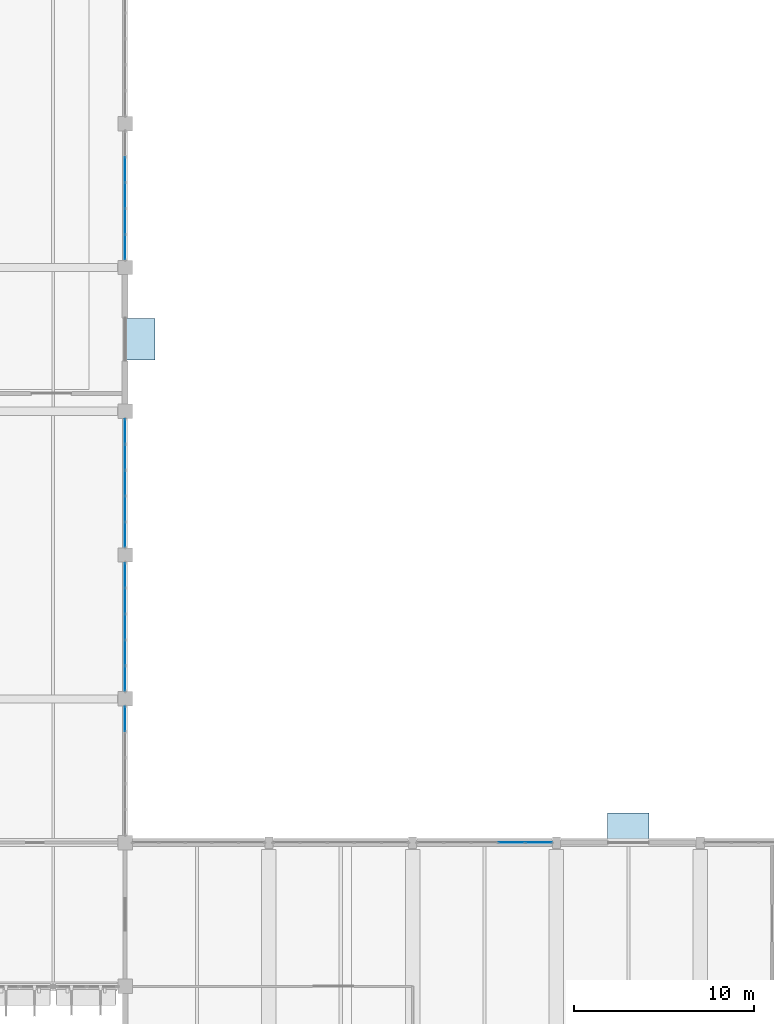
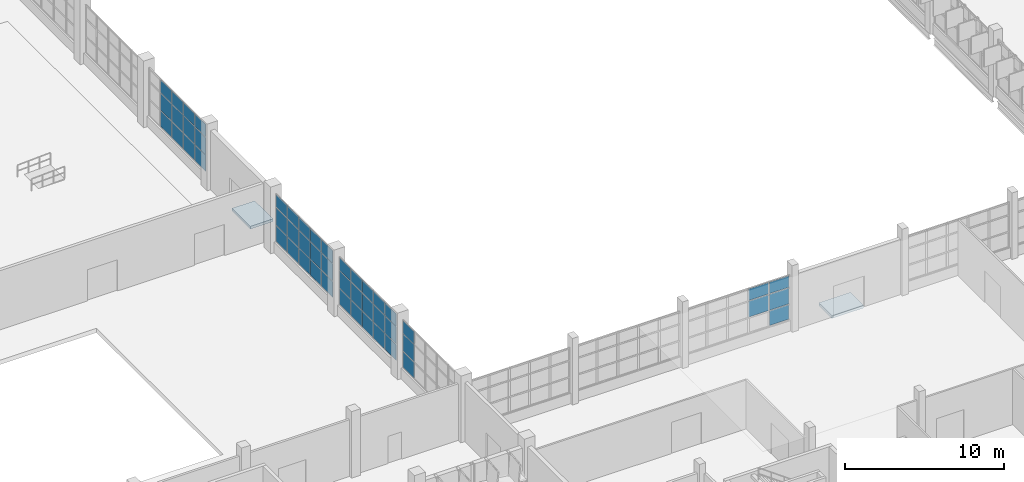
# One storey, part 56 of 103: 50 plates, 2 slabs, 5 elements without a shape of their own.
"""IFC4 building model written with IfcOpenShell, lengths in metres."""

from ifc_helpers import new_model, si_unit, direction, frame, origin, origin_2d, place, context, subcontext, project, spatial, polyline, rectangle, outline, extrude, material, layer, layer_set, type_object, element, aggregate, save


model = new_model("IFC4")

# Units and contexts
model_context = context("Model", 3, precision=1e-05, world=origin(), true_north=direction((0.0, 1.0)))
body_context = subcontext(model_context, "Body", "Model", "MODEL_VIEW")
ifc_project = project(units=[si_unit("LENGTHUNIT", "METRE"), si_unit("AREAUNIT", "SQUARE_METRE"), si_unit("VOLUMEUNIT", "CUBIC_METRE"), si_unit("PLANEANGLEUNIT", "RADIAN"), si_unit("MASSUNIT", "GRAM", prefix="KILO")], contexts=[model_context])

# Site, building, storey
site_placement = place(None, origin())
site = spatial("IfcSite", under=ifc_project, at=site_placement, CompositionType="ELEMENT")
building_placement = place(site_placement, origin())
building = spatial("IfcBuilding", under=site, at=building_placement, Name="Drelvana Railside Aquatics Centre", CompositionType="ELEMENT")
storey_placement = place(building_placement, origin())
storey = spatial("IfcBuildingStorey", under=building, at=storey_placement, Name="L00", CompositionType="ELEMENT", Elevation=0.0)

# Curtain wall, plates
ifc_material_1 = material(Name="Bronze-anodised aluminium curtain wall", Category="aluminium")
ifc_layer_1 = layer(ifc_material_1, 0.1650390625, Name="Bronze-anodised aluminium curtain wall")
ifc_layer_set_1 = layer_set([ifc_layer_1], Name="Bronze-anodised aluminium curtain wall")
curtain_wall_type = type_object("IfcCurtainWallType", Name="CW-Z5-COURT", PredefinedType="NOTDEFINED", material=ifc_layer_set_1)
curtain_wall_1_placement = place(storey_placement, origin())
curtain_wall_1 = element("IfcCurtainWall", 1, at=curtain_wall_1_placement, inside=storey, type_object=curtain_wall_type, Name="Curtain wall CW-05-055", PredefinedType="NOTDEFINED")
ifc_material_2 = material(Name="Double-glazed low-e solar-control glass", Category="glass")
ifc_layer_2 = layer(ifc_material_2, 0.02587890625, Name="Double-glazed low-e solar-control glass")
ifc_layer_set_2 = layer_set([ifc_layer_2], Name="Double-glazed low-e solar-control glass")
plate_type = type_object("IfcPlateType", Name="CW-Z5-COURT-PAN", PredefinedType="CURTAIN_PANEL", material=ifc_layer_set_2)
plate_1_placement = place(storey_placement, frame((96.0, 30.869873046875, 0.84912109375), z_axis=(0.0, 0.0, 1.0), x_axis=(0.0, 1.0, 0.0)))
plate_1 = element("IfcPlate", 2, at=plate_1_placement, type_object=plate_type, Name="CW-05 panel 5.1", PredefinedType="CURTAIN_PANEL", context=body_context, shape_type="SweptSolid", body=[
    extrude(rectangle(XDim=1.3623046875, YDim=0.02587890625, at=origin_2d()), origin(), (0.0, 0.0, 1.0), 1.217041015625),
])
plate_2_placement = place(storey_placement, frame((96.0, 30.869873046875, 2.1162109375), z_axis=(0.0, 0.0, 1.0), x_axis=(0.0, 1.0, 0.0)))
plate_2 = element("IfcPlate", 3, at=plate_2_placement, type_object=plate_type, Name="CW-05 panel 5.2", PredefinedType="CURTAIN_PANEL", context=body_context, shape_type="SweptSolid", body=[
    extrude(rectangle(XDim=1.3623046875, YDim=0.02587890625, at=origin_2d()), origin(), (0.0, 0.0, 1.0), 1.321044921875),
])
plate_3_placement = place(storey_placement, frame((96.0, 30.869873046875, 3.487060546875), z_axis=(0.0, 0.0, 1.0), x_axis=(0.0, 1.0, 0.0)))
plate_3 = element("IfcPlate", 4, at=plate_3_placement, type_object=plate_type, Name="CW-05 panel 5.3", PredefinedType="CURTAIN_PANEL", context=body_context, shape_type="SweptSolid", body=[
    extrude(rectangle(XDim=1.3623046875, YDim=0.02587890625, at=origin_2d()), origin(), (0.0, 0.0, 1.0), 0.9580078125),
])
aggregate(curtain_wall_1, [plate_1, plate_2, plate_3])

curtain_wall_2_placement = place(storey_placement, origin())
curtain_wall_2 = element("IfcCurtainWall", 5, at=curtain_wall_2_placement, inside=storey, type_object=curtain_wall_type, Name="Curtain wall CW-05-059", PredefinedType="NOTDEFINED")
plate_4_placement = place(storey_placement, frame((96.0, 33.130126953125, 0.84912109375), z_axis=(0.0, 0.0, 1.0), x_axis=(0.0, 1.0, 0.0)))
plate_4 = element("IfcPlate", 6, at=plate_4_placement, type_object=plate_type, Name="CW-05 panel 1.1", PredefinedType="CURTAIN_PANEL", context=body_context, shape_type="SweptSolid", body=[
    extrude(rectangle(XDim=1.3623046875, YDim=0.02587890625, at=origin_2d()), origin(), (0.0, 0.0, 1.0), 1.217041015625),
])
plate_5_placement = place(storey_placement, frame((96.0, 33.130126953125, 2.1162109375), z_axis=(0.0, 0.0, 1.0), x_axis=(0.0, 1.0, 0.0)))
plate_5 = element("IfcPlate", 7, at=plate_5_placement, type_object=plate_type, Name="CW-05 panel 1.2", PredefinedType="CURTAIN_PANEL", context=body_context, shape_type="SweptSolid", body=[
    extrude(rectangle(XDim=1.3623046875, YDim=0.02587890625, at=origin_2d()), origin(), (0.0, 0.0, 1.0), 1.321044921875),
])
plate_6_placement = place(storey_placement, frame((96.0, 33.130126953125, 3.487060546875), z_axis=(0.0, 0.0, 1.0), x_axis=(0.0, 1.0, 0.0)))
plate_6 = element("IfcPlate", 8, at=plate_6_placement, type_object=plate_type, Name="CW-05 panel 1.3", PredefinedType="CURTAIN_PANEL", context=body_context, shape_type="SweptSolid", body=[
    extrude(rectangle(XDim=1.3623046875, YDim=0.02587890625, at=origin_2d()), origin(), (0.0, 0.0, 1.0), 0.9580078125),
])
plate_7_placement = place(storey_placement, frame((96.0, 34.5576171875, 0.84912109375), z_axis=(0.0, 0.0, 1.0), x_axis=(0.0, 1.0, 0.0)))
plate_7 = element("IfcPlate", 9, at=plate_7_placement, type_object=plate_type, Name="CW-05 panel 2.1", PredefinedType="CURTAIN_PANEL", context=body_context, shape_type="SweptSolid", body=[
    extrude(rectangle(XDim=1.392333984375, YDim=0.02587890625, at=origin_2d()), origin(), (0.0, 0.0, 1.0), 1.217041015625),
])
plate_8_placement = place(storey_placement, frame((96.0, 34.5576171875, 2.1162109375), z_axis=(0.0, 0.0, 1.0), x_axis=(0.0, 1.0, 0.0)))
plate_8 = element("IfcPlate", 10, at=plate_8_placement, type_object=plate_type, Name="CW-05 panel 2.2", PredefinedType="CURTAIN_PANEL", context=body_context, shape_type="SweptSolid", body=[
    extrude(rectangle(XDim=1.392333984375, YDim=0.02587890625, at=origin_2d()), origin(), (0.0, 0.0, 1.0), 1.321044921875),
])
plate_9_placement = place(storey_placement, frame((96.0, 34.5576171875, 3.487060546875), z_axis=(0.0, 0.0, 1.0), x_axis=(0.0, 1.0, 0.0)))
plate_9 = element("IfcPlate", 11, at=plate_9_placement, type_object=plate_type, Name="CW-05 panel 2.3", PredefinedType="CURTAIN_PANEL", context=body_context, shape_type="SweptSolid", body=[
    extrude(rectangle(XDim=1.392333984375, YDim=0.02587890625, at=origin_2d()), origin(), (0.0, 0.0, 1.0), 0.9580078125),
])
plate_10_placement = place(storey_placement, frame((96.0, 36.0, 0.84912109375), z_axis=(0.0, 0.0, 1.0), x_axis=(0.0, 1.0, 0.0)))
plate_10 = element("IfcPlate", 12, at=plate_10_placement, type_object=plate_type, Name="CW-05 panel 3.1", PredefinedType="CURTAIN_PANEL", context=body_context, shape_type="SweptSolid", body=[
    extrude(rectangle(XDim=1.392333984375, YDim=0.02587890625, at=origin_2d()), origin(), (0.0, 0.0, 1.0), 1.217041015625),
])
plate_11_placement = place(storey_placement, frame((96.0, 36.0, 2.1162109375), z_axis=(0.0, 0.0, 1.0), x_axis=(0.0, 1.0, 0.0)))
plate_11 = element("IfcPlate", 13, at=plate_11_placement, type_object=plate_type, Name="CW-05 panel 3.2", PredefinedType="CURTAIN_PANEL", context=body_context, shape_type="SweptSolid", body=[
    extrude(rectangle(XDim=1.392333984375, YDim=0.02587890625, at=origin_2d()), origin(), (0.0, 0.0, 1.0), 1.321044921875),
])
plate_12_placement = place(storey_placement, frame((96.0, 36.0, 3.487060546875), z_axis=(0.0, 0.0, 1.0), x_axis=(0.0, 1.0, 0.0)))
plate_12 = element("IfcPlate", 14, at=plate_12_placement, type_object=plate_type, Name="CW-05 panel 3.3", PredefinedType="CURTAIN_PANEL", context=body_context, shape_type="SweptSolid", body=[
    extrude(rectangle(XDim=1.392333984375, YDim=0.02587890625, at=origin_2d()), origin(), (0.0, 0.0, 1.0), 0.9580078125),
])
plate_13_placement = place(storey_placement, frame((96.0, 37.4423828125, 0.84912109375), z_axis=(0.0, 0.0, 1.0), x_axis=(0.0, 1.0, 0.0)))
plate_13 = element("IfcPlate", 15, at=plate_13_placement, type_object=plate_type, Name="CW-05 panel 4.1", PredefinedType="CURTAIN_PANEL", context=body_context, shape_type="SweptSolid", body=[
    extrude(rectangle(XDim=1.392333984375, YDim=0.02587890625, at=origin_2d()), origin(), (0.0, 0.0, 1.0), 1.217041015625),
])
plate_14_placement = place(storey_placement, frame((96.0, 37.4423828125, 2.1162109375), z_axis=(0.0, 0.0, 1.0), x_axis=(0.0, 1.0, 0.0)))
plate_14 = element("IfcPlate", 16, at=plate_14_placement, type_object=plate_type, Name="CW-05 panel 4.2", PredefinedType="CURTAIN_PANEL", context=body_context, shape_type="SweptSolid", body=[
    extrude(rectangle(XDim=1.392333984375, YDim=0.02587890625, at=origin_2d()), origin(), (0.0, 0.0, 1.0), 1.321044921875),
])
plate_15_placement = place(storey_placement, frame((96.0, 37.4423828125, 3.487060546875), z_axis=(0.0, 0.0, 1.0), x_axis=(0.0, 1.0, 0.0)))
plate_15 = element("IfcPlate", 17, at=plate_15_placement, type_object=plate_type, Name="CW-05 panel 4.3", PredefinedType="CURTAIN_PANEL", context=body_context, shape_type="SweptSolid", body=[
    extrude(rectangle(XDim=1.392333984375, YDim=0.02587890625, at=origin_2d()), origin(), (0.0, 0.0, 1.0), 0.9580078125),
])
plate_16_placement = place(storey_placement, frame((96.0, 38.869873046875, 0.84912109375), z_axis=(0.0, 0.0, 1.0), x_axis=(0.0, 1.0, 0.0)))
plate_16 = element("IfcPlate", 18, at=plate_16_placement, type_object=plate_type, Name="CW-05 panel 5.1", PredefinedType="CURTAIN_PANEL", context=body_context, shape_type="SweptSolid", body=[
    extrude(rectangle(XDim=1.3623046875, YDim=0.02587890625, at=origin_2d()), origin(), (0.0, 0.0, 1.0), 1.217041015625),
])
plate_17_placement = place(storey_placement, frame((96.0, 38.869873046875, 2.1162109375), z_axis=(0.0, 0.0, 1.0), x_axis=(0.0, 1.0, 0.0)))
plate_17 = element("IfcPlate", 19, at=plate_17_placement, type_object=plate_type, Name="CW-05 panel 5.2", PredefinedType="CURTAIN_PANEL", context=body_context, shape_type="SweptSolid", body=[
    extrude(rectangle(XDim=1.3623046875, YDim=0.02587890625, at=origin_2d()), origin(), (0.0, 0.0, 1.0), 1.321044921875),
])
plate_18_placement = place(storey_placement, frame((96.0, 38.869873046875, 3.487060546875), z_axis=(0.0, 0.0, 1.0), x_axis=(0.0, 1.0, 0.0)))
plate_18 = element("IfcPlate", 20, at=plate_18_placement, type_object=plate_type, Name="CW-05 panel 5.3", PredefinedType="CURTAIN_PANEL", context=body_context, shape_type="SweptSolid", body=[
    extrude(rectangle(XDim=1.3623046875, YDim=0.02587890625, at=origin_2d()), origin(), (0.0, 0.0, 1.0), 0.9580078125),
])
aggregate(curtain_wall_2, [plate_4, plate_5, plate_6, plate_7, plate_8, plate_9, plate_10, plate_11, plate_12, plate_13, plate_14, plate_15, plate_16, plate_17, plate_18])

curtain_wall_3_placement = place(storey_placement, origin())
curtain_wall_3 = element("IfcCurtainWall", 21, at=curtain_wall_3_placement, inside=storey, type_object=curtain_wall_type, Name="Curtain wall CW-05-063", PredefinedType="NOTDEFINED")
plate_19_placement = place(storey_placement, frame((96.0, 41.130126953125, 0.84912109375), z_axis=(0.0, 0.0, 1.0), x_axis=(0.0, 1.0, 0.0)))
plate_19 = element("IfcPlate", 22, at=plate_19_placement, type_object=plate_type, Name="CW-05 panel 1.1", PredefinedType="CURTAIN_PANEL", context=body_context, shape_type="SweptSolid", body=[
    extrude(rectangle(XDim=1.3623046875, YDim=0.02587890625, at=origin_2d()), origin(), (0.0, 0.0, 1.0), 1.217041015625),
])
plate_20_placement = place(storey_placement, frame((96.0, 41.130126953125, 2.1162109375), z_axis=(0.0, 0.0, 1.0), x_axis=(0.0, 1.0, 0.0)))
plate_20 = element("IfcPlate", 23, at=plate_20_placement, type_object=plate_type, Name="CW-05 panel 1.2", PredefinedType="CURTAIN_PANEL", context=body_context, shape_type="SweptSolid", body=[
    extrude(rectangle(XDim=1.3623046875, YDim=0.02587890625, at=origin_2d()), origin(), (0.0, 0.0, 1.0), 1.321044921875),
])
plate_21_placement = place(storey_placement, frame((96.0, 41.130126953125, 3.487060546875), z_axis=(0.0, 0.0, 1.0), x_axis=(0.0, 1.0, 0.0)))
plate_21 = element("IfcPlate", 24, at=plate_21_placement, type_object=plate_type, Name="CW-05 panel 1.3", PredefinedType="CURTAIN_PANEL", context=body_context, shape_type="SweptSolid", body=[
    extrude(rectangle(XDim=1.3623046875, YDim=0.02587890625, at=origin_2d()), origin(), (0.0, 0.0, 1.0), 0.9580078125),
])
plate_22_placement = place(storey_placement, frame((96.0, 42.5576171875, 0.84912109375), z_axis=(0.0, 0.0, 1.0), x_axis=(0.0, 1.0, 0.0)))
plate_22 = element("IfcPlate", 25, at=plate_22_placement, type_object=plate_type, Name="CW-05 panel 2.1", PredefinedType="CURTAIN_PANEL", context=body_context, shape_type="SweptSolid", body=[
    extrude(rectangle(XDim=1.392333984375, YDim=0.02587890625, at=origin_2d()), origin(), (0.0, 0.0, 1.0), 1.217041015625),
])
plate_23_placement = place(storey_placement, frame((96.0, 42.5576171875, 2.1162109375), z_axis=(0.0, 0.0, 1.0), x_axis=(0.0, 1.0, 0.0)))
plate_23 = element("IfcPlate", 26, at=plate_23_placement, type_object=plate_type, Name="CW-05 panel 2.2", PredefinedType="CURTAIN_PANEL", context=body_context, shape_type="SweptSolid", body=[
    extrude(rectangle(XDim=1.392333984375, YDim=0.02587890625, at=origin_2d()), origin(), (0.0, 0.0, 1.0), 1.321044921875),
])
plate_24_placement = place(storey_placement, frame((96.0, 42.5576171875, 3.487060546875), z_axis=(0.0, 0.0, 1.0), x_axis=(0.0, 1.0, 0.0)))
plate_24 = element("IfcPlate", 27, at=plate_24_placement, type_object=plate_type, Name="CW-05 panel 2.3", PredefinedType="CURTAIN_PANEL", context=body_context, shape_type="SweptSolid", body=[
    extrude(rectangle(XDim=1.392333984375, YDim=0.02587890625, at=origin_2d()), origin(), (0.0, 0.0, 1.0), 0.9580078125),
])
plate_25_placement = place(storey_placement, frame((96.0, 44.0, 0.84912109375), z_axis=(0.0, 0.0, 1.0), x_axis=(0.0, 1.0, 0.0)))
plate_25 = element("IfcPlate", 28, at=plate_25_placement, type_object=plate_type, Name="CW-05 panel 3.1", PredefinedType="CURTAIN_PANEL", context=body_context, shape_type="SweptSolid", body=[
    extrude(rectangle(XDim=1.392333984375, YDim=0.02587890625, at=origin_2d()), origin(), (0.0, 0.0, 1.0), 1.217041015625),
])
plate_26_placement = place(storey_placement, frame((96.0, 44.0, 2.1162109375), z_axis=(0.0, 0.0, 1.0), x_axis=(0.0, 1.0, 0.0)))
plate_26 = element("IfcPlate", 29, at=plate_26_placement, type_object=plate_type, Name="CW-05 panel 3.2", PredefinedType="CURTAIN_PANEL", context=body_context, shape_type="SweptSolid", body=[
    extrude(rectangle(XDim=1.392333984375, YDim=0.02587890625, at=origin_2d()), origin(), (0.0, 0.0, 1.0), 1.321044921875),
])
plate_27_placement = place(storey_placement, frame((96.0, 44.0, 3.487060546875), z_axis=(0.0, 0.0, 1.0), x_axis=(0.0, 1.0, 0.0)))
plate_27 = element("IfcPlate", 30, at=plate_27_placement, type_object=plate_type, Name="CW-05 panel 3.3", PredefinedType="CURTAIN_PANEL", context=body_context, shape_type="SweptSolid", body=[
    extrude(rectangle(XDim=1.392333984375, YDim=0.02587890625, at=origin_2d()), origin(), (0.0, 0.0, 1.0), 0.9580078125),
])
plate_28_placement = place(storey_placement, frame((96.0, 45.4423828125, 0.84912109375), z_axis=(0.0, 0.0, 1.0), x_axis=(0.0, 1.0, 0.0)))
plate_28 = element("IfcPlate", 31, at=plate_28_placement, type_object=plate_type, Name="CW-05 panel 4.1", PredefinedType="CURTAIN_PANEL", context=body_context, shape_type="SweptSolid", body=[
    extrude(rectangle(XDim=1.392333984375, YDim=0.02587890625, at=origin_2d()), origin(), (0.0, 0.0, 1.0), 1.217041015625),
])
plate_29_placement = place(storey_placement, frame((96.0, 45.4423828125, 2.1162109375), z_axis=(0.0, 0.0, 1.0), x_axis=(0.0, 1.0, 0.0)))
plate_29 = element("IfcPlate", 32, at=plate_29_placement, type_object=plate_type, Name="CW-05 panel 4.2", PredefinedType="CURTAIN_PANEL", context=body_context, shape_type="SweptSolid", body=[
    extrude(rectangle(XDim=1.392333984375, YDim=0.02587890625, at=origin_2d()), origin(), (0.0, 0.0, 1.0), 1.321044921875),
])
plate_30_placement = place(storey_placement, frame((96.0, 45.4423828125, 3.487060546875), z_axis=(0.0, 0.0, 1.0), x_axis=(0.0, 1.0, 0.0)))
plate_30 = element("IfcPlate", 33, at=plate_30_placement, type_object=plate_type, Name="CW-05 panel 4.3", PredefinedType="CURTAIN_PANEL", context=body_context, shape_type="SweptSolid", body=[
    extrude(rectangle(XDim=1.392333984375, YDim=0.02587890625, at=origin_2d()), origin(), (0.0, 0.0, 1.0), 0.9580078125),
])
plate_31_placement = place(storey_placement, frame((96.0, 46.869873046875, 0.84912109375), z_axis=(0.0, 0.0, 1.0), x_axis=(0.0, 1.0, 0.0)))
plate_31 = element("IfcPlate", 34, at=plate_31_placement, type_object=plate_type, Name="CW-05 panel 5.1", PredefinedType="CURTAIN_PANEL", context=body_context, shape_type="SweptSolid", body=[
    extrude(rectangle(XDim=1.3623046875, YDim=0.02587890625, at=origin_2d()), origin(), (0.0, 0.0, 1.0), 1.217041015625),
])
plate_32_placement = place(storey_placement, frame((96.0, 46.869873046875, 2.1162109375), z_axis=(0.0, 0.0, 1.0), x_axis=(0.0, 1.0, 0.0)))
plate_32 = element("IfcPlate", 35, at=plate_32_placement, type_object=plate_type, Name="CW-05 panel 5.2", PredefinedType="CURTAIN_PANEL", context=body_context, shape_type="SweptSolid", body=[
    extrude(rectangle(XDim=1.3623046875, YDim=0.02587890625, at=origin_2d()), origin(), (0.0, 0.0, 1.0), 1.321044921875),
])
plate_33_placement = place(storey_placement, frame((96.0, 46.869873046875, 3.487060546875), z_axis=(0.0, 0.0, 1.0), x_axis=(0.0, 1.0, 0.0)))
plate_33 = element("IfcPlate", 36, at=plate_33_placement, type_object=plate_type, Name="CW-05 panel 5.3", PredefinedType="CURTAIN_PANEL", context=body_context, shape_type="SweptSolid", body=[
    extrude(rectangle(XDim=1.3623046875, YDim=0.02587890625, at=origin_2d()), origin(), (0.0, 0.0, 1.0), 0.9580078125),
])
aggregate(curtain_wall_3, [plate_19, plate_20, plate_21, plate_22, plate_23, plate_24, plate_25, plate_26, plate_27, plate_28, plate_29, plate_30, plate_31, plate_32, plate_33])

curtain_wall_4_placement = place(storey_placement, origin())
curtain_wall_4 = element("IfcCurtainWall", 37, at=curtain_wall_4_placement, inside=storey, type_object=curtain_wall_type, Name="Curtain wall CW-05-070", PredefinedType="NOTDEFINED")
plate_34_placement = place(storey_placement, frame((96.0, 57.130126953125, 0.84912109375), z_axis=(0.0, 0.0, 1.0), x_axis=(0.0, 1.0, 0.0)))
plate_34 = element("IfcPlate", 38, at=plate_34_placement, type_object=plate_type, Name="CW-05 panel 1.1", PredefinedType="CURTAIN_PANEL", context=body_context, shape_type="SweptSolid", body=[
    extrude(rectangle(XDim=1.3623046875, YDim=0.02587890625, at=origin_2d()), origin(), (0.0, 0.0, 1.0), 1.217041015625),
])
plate_35_placement = place(storey_placement, frame((96.0, 57.130126953125, 2.1162109375), z_axis=(0.0, 0.0, 1.0), x_axis=(0.0, 1.0, 0.0)))
plate_35 = element("IfcPlate", 39, at=plate_35_placement, type_object=plate_type, Name="CW-05 panel 1.2", PredefinedType="CURTAIN_PANEL", context=body_context, shape_type="SweptSolid", body=[
    extrude(rectangle(XDim=1.3623046875, YDim=0.02587890625, at=origin_2d()), origin(), (0.0, 0.0, 1.0), 1.321044921875),
])
plate_36_placement = place(storey_placement, frame((96.0, 57.130126953125, 3.487060546875), z_axis=(0.0, 0.0, 1.0), x_axis=(0.0, 1.0, 0.0)))
plate_36 = element("IfcPlate", 40, at=plate_36_placement, type_object=plate_type, Name="CW-05 panel 1.3", PredefinedType="CURTAIN_PANEL", context=body_context, shape_type="SweptSolid", body=[
    extrude(rectangle(XDim=1.3623046875, YDim=0.02587890625, at=origin_2d()), origin(), (0.0, 0.0, 1.0), 0.9580078125),
])
plate_37_placement = place(storey_placement, frame((96.0, 58.5576171875, 0.84912109375), z_axis=(0.0, 0.0, 1.0), x_axis=(0.0, 1.0, 0.0)))
plate_37 = element("IfcPlate", 41, at=plate_37_placement, type_object=plate_type, Name="CW-05 panel 2.1", PredefinedType="CURTAIN_PANEL", context=body_context, shape_type="SweptSolid", body=[
    extrude(rectangle(XDim=1.392333984375, YDim=0.02587890625, at=origin_2d()), origin(), (0.0, 0.0, 1.0), 1.217041015625),
])
plate_38_placement = place(storey_placement, frame((96.0, 58.5576171875, 2.1162109375), z_axis=(0.0, 0.0, 1.0), x_axis=(0.0, 1.0, 0.0)))
plate_38 = element("IfcPlate", 42, at=plate_38_placement, type_object=plate_type, Name="CW-05 panel 2.2", PredefinedType="CURTAIN_PANEL", context=body_context, shape_type="SweptSolid", body=[
    extrude(rectangle(XDim=1.392333984375, YDim=0.02587890625, at=origin_2d()), origin(), (0.0, 0.0, 1.0), 1.321044921875),
])
plate_39_placement = place(storey_placement, frame((96.0, 58.5576171875, 3.487060546875), z_axis=(0.0, 0.0, 1.0), x_axis=(0.0, 1.0, 0.0)))
plate_39 = element("IfcPlate", 43, at=plate_39_placement, type_object=plate_type, Name="CW-05 panel 2.3", PredefinedType="CURTAIN_PANEL", context=body_context, shape_type="SweptSolid", body=[
    extrude(rectangle(XDim=1.392333984375, YDim=0.02587890625, at=origin_2d()), origin(), (0.0, 0.0, 1.0), 0.9580078125),
])
plate_40_placement = place(storey_placement, frame((96.0, 60.0, 0.84912109375), z_axis=(0.0, 0.0, 1.0), x_axis=(0.0, 1.0, 0.0)))
plate_40 = element("IfcPlate", 44, at=plate_40_placement, type_object=plate_type, Name="CW-05 panel 3.1", PredefinedType="CURTAIN_PANEL", context=body_context, shape_type="SweptSolid", body=[
    extrude(rectangle(XDim=1.392333984375, YDim=0.02587890625, at=origin_2d()), origin(), (0.0, 0.0, 1.0), 1.217041015625),
])
plate_41_placement = place(storey_placement, frame((96.0, 60.0, 2.1162109375), z_axis=(0.0, 0.0, 1.0), x_axis=(0.0, 1.0, 0.0)))
plate_41 = element("IfcPlate", 45, at=plate_41_placement, type_object=plate_type, Name="CW-05 panel 3.2", PredefinedType="CURTAIN_PANEL", context=body_context, shape_type="SweptSolid", body=[
    extrude(rectangle(XDim=1.392333984375, YDim=0.02587890625, at=origin_2d()), origin(), (0.0, 0.0, 1.0), 1.321044921875),
])
plate_42_placement = place(storey_placement, frame((96.0, 60.0, 3.487060546875), z_axis=(0.0, 0.0, 1.0), x_axis=(0.0, 1.0, 0.0)))
plate_42 = element("IfcPlate", 46, at=plate_42_placement, type_object=plate_type, Name="CW-05 panel 3.3", PredefinedType="CURTAIN_PANEL", context=body_context, shape_type="SweptSolid", body=[
    extrude(rectangle(XDim=1.392333984375, YDim=0.02587890625, at=origin_2d()), origin(), (0.0, 0.0, 1.0), 0.9580078125),
])
plate_43_placement = place(storey_placement, frame((96.0, 61.4423828125, 0.84912109375), z_axis=(0.0, 0.0, 1.0), x_axis=(0.0, 1.0, 0.0)))
plate_43 = element("IfcPlate", 47, at=plate_43_placement, type_object=plate_type, Name="CW-05 panel 4.1", PredefinedType="CURTAIN_PANEL", context=body_context, shape_type="SweptSolid", body=[
    extrude(rectangle(XDim=1.392333984375, YDim=0.02587890625, at=origin_2d()), origin(), (0.0, 0.0, 1.0), 1.217041015625),
])
plate_44_placement = place(storey_placement, frame((96.0, 61.4423828125, 2.1162109375), z_axis=(0.0, 0.0, 1.0), x_axis=(0.0, 1.0, 0.0)))
plate_44 = element("IfcPlate", 48, at=plate_44_placement, type_object=plate_type, Name="CW-05 panel 4.2", PredefinedType="CURTAIN_PANEL", context=body_context, shape_type="SweptSolid", body=[
    extrude(rectangle(XDim=1.392333984375, YDim=0.02587890625, at=origin_2d()), origin(), (0.0, 0.0, 1.0), 1.321044921875),
])
plate_45_placement = place(storey_placement, frame((96.0, 61.4423828125, 3.487060546875), z_axis=(0.0, 0.0, 1.0), x_axis=(0.0, 1.0, 0.0)))
plate_45 = element("IfcPlate", 49, at=plate_45_placement, type_object=plate_type, Name="CW-05 panel 4.3", PredefinedType="CURTAIN_PANEL", context=body_context, shape_type="SweptSolid", body=[
    extrude(rectangle(XDim=1.392333984375, YDim=0.02587890625, at=origin_2d()), origin(), (0.0, 0.0, 1.0), 0.9580078125),
])
aggregate(curtain_wall_4, [plate_34, plate_35, plate_36, plate_37, plate_38, plate_39, plate_40, plate_41, plate_42, plate_43, plate_44, plate_45])

curtain_wall_5_placement = place(storey_placement, origin())
curtain_wall_5 = element("IfcCurtainWall", 50, at=curtain_wall_5_placement, inside=storey, type_object=curtain_wall_type, Name="Curtain wall CW-05-106", PredefinedType="NOTDEFINED")
plate_46_placement = place(storey_placement, frame((117.512451171875, 24.0, 2.029052734375), z_axis=(0.0, 0.0, 1.0), x_axis=(1.0, 0.0, 0.0)))
plate_46 = element("IfcPlate", 51, at=plate_46_placement, type_object=plate_type, Name="CW-05 panel 4.2", PredefinedType="CURTAIN_PANEL", context=body_context, shape_type="SweptSolid", body=[
    extrude(rectangle(XDim=1.46240234375, YDim=0.02587890625, at=origin_2d()), origin(), (0.0, 0.0, 1.0), 1.22802734375),
])
plate_47_placement = place(storey_placement, frame((117.512451171875, 24.0, 3.30712890625), z_axis=(0.0, 0.0, 1.0), x_axis=(1.0, 0.0, 0.0)))
plate_47 = element("IfcPlate", 52, at=plate_47_placement, type_object=plate_type, Name="CW-05 panel 4.3", PredefinedType="CURTAIN_PANEL", context=body_context, shape_type="SweptSolid", body=[
    extrude(rectangle(XDim=1.46240234375, YDim=0.02587890625, at=origin_2d()), origin(), (0.0, 0.0, 1.0), 0.887939453125),
])
plate_48_placement = place(storey_placement, frame((119.009765625, 24.0, 0.84912109375), z_axis=(0.0, 0.0, 1.0), x_axis=(1.0, 0.0, 0.0)))
plate_48 = element("IfcPlate", 53, at=plate_48_placement, type_object=plate_type, Name="CW-05 panel 5.1", PredefinedType="CURTAIN_PANEL", context=body_context, shape_type="SweptSolid", body=[
    extrude(rectangle(XDim=1.432373046875, YDim=0.02587890625, at=origin_2d()), origin(), (0.0, 0.0, 1.0), 1.1298828125),
])
plate_49_placement = place(storey_placement, frame((119.009765625, 24.0, 2.029052734375), z_axis=(0.0, 0.0, 1.0), x_axis=(1.0, 0.0, 0.0)))
plate_49 = element("IfcPlate", 54, at=plate_49_placement, type_object=plate_type, Name="CW-05 panel 5.2", PredefinedType="CURTAIN_PANEL", context=body_context, shape_type="SweptSolid", body=[
    extrude(rectangle(XDim=1.432373046875, YDim=0.02587890625, at=origin_2d()), origin(), (0.0, 0.0, 1.0), 1.22802734375),
])
plate_50_placement = place(storey_placement, frame((119.009765625, 24.0, 3.30712890625), z_axis=(0.0, 0.0, 1.0), x_axis=(1.0, 0.0, 0.0)))
plate_50 = element("IfcPlate", 55, at=plate_50_placement, type_object=plate_type, Name="CW-05 panel 5.3", PredefinedType="CURTAIN_PANEL", context=body_context, shape_type="SweptSolid", body=[
    extrude(rectangle(XDim=1.432373046875, YDim=0.02587890625, at=origin_2d()), origin(), (0.0, 0.0, 1.0), 0.887939453125),
])
aggregate(curtain_wall_5, [plate_46, plate_47, plate_48, plate_49, plate_50])

# Slabs
ifc_material_3 = material(Name="Precast concrete C40/50", Category="concrete")
ifc_layer_3 = layer(ifc_material_3, 0.2099609375, Name="Precast concrete C40/50")
ifc_layer_set_3 = layer_set([ifc_layer_3], Name="Precast concrete C40/50")
slab_type = type_object("IfcSlabType", Name="SL-PAV-210", PredefinedType="BASESLAB", material=ifc_layer_set_3)
slab_1_placement = place(storey_placement, frame((0.0, 0.0, -0.2099609375)))
element("IfcSlab", 56, at=slab_1_placement, inside=storey, type_object=slab_type, Name="Exterior threshold landing apron 007", PredefinedType="BASESLAB", context=body_context, shape_type="SweptSolid", body=[
    extrude(outline(polyline([(96.0048828125, 50.85009765625), (97.655029296875, 50.85009765625), (97.655029296875, 53.14990234375), (96.0048828125, 53.14990234375), (96.0048828125, 50.85009765625)])), origin(), (0.0, 0.0, 1.0), 0.2099609375),
])
slab_2_placement = place(storey_placement, frame((0.0, 0.0, -0.2099609375)))
element("IfcSlab", 57, at=slab_2_placement, inside=storey, type_object=slab_type, Name="Exterior threshold landing apron 011", PredefinedType="BASESLAB", context=body_context, shape_type="SweptSolid", body=[
    extrude(outline(polyline([(122.85009765625, 24.0048828125), (125.14990234375, 24.0048828125), (125.14990234375, 25.655029296875), (122.85009765625, 25.655029296875), (122.85009765625, 24.0048828125)])), origin(), (0.0, 0.0, 1.0), 0.2099609375),
])

save(model, "model.ifc")
